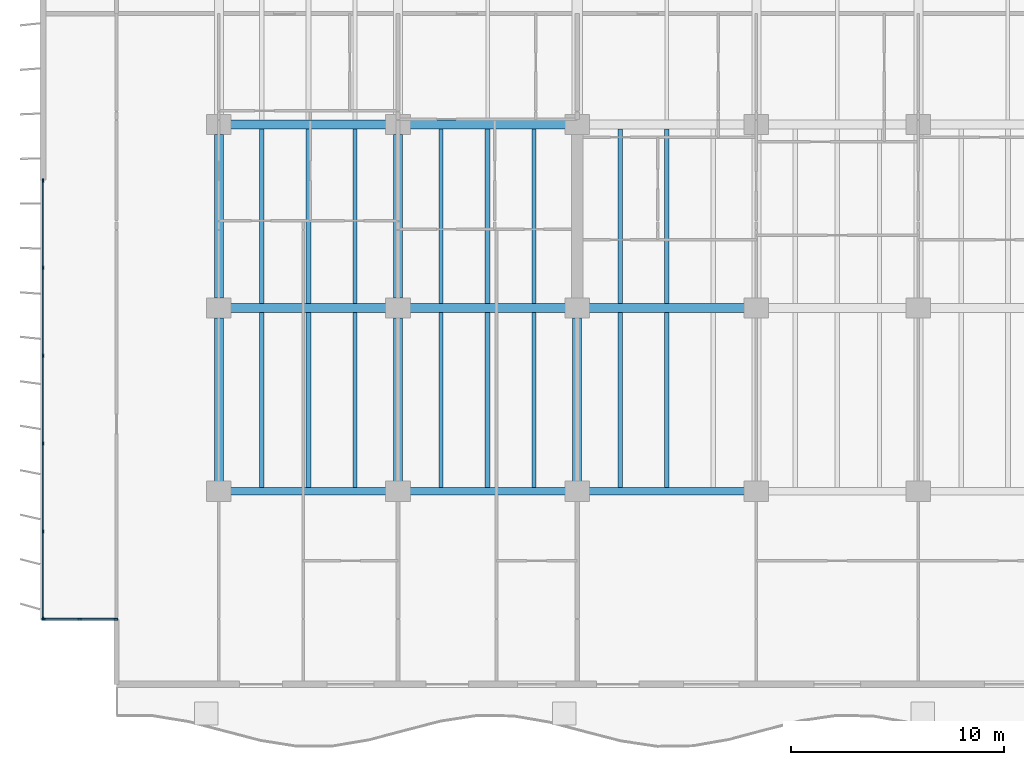
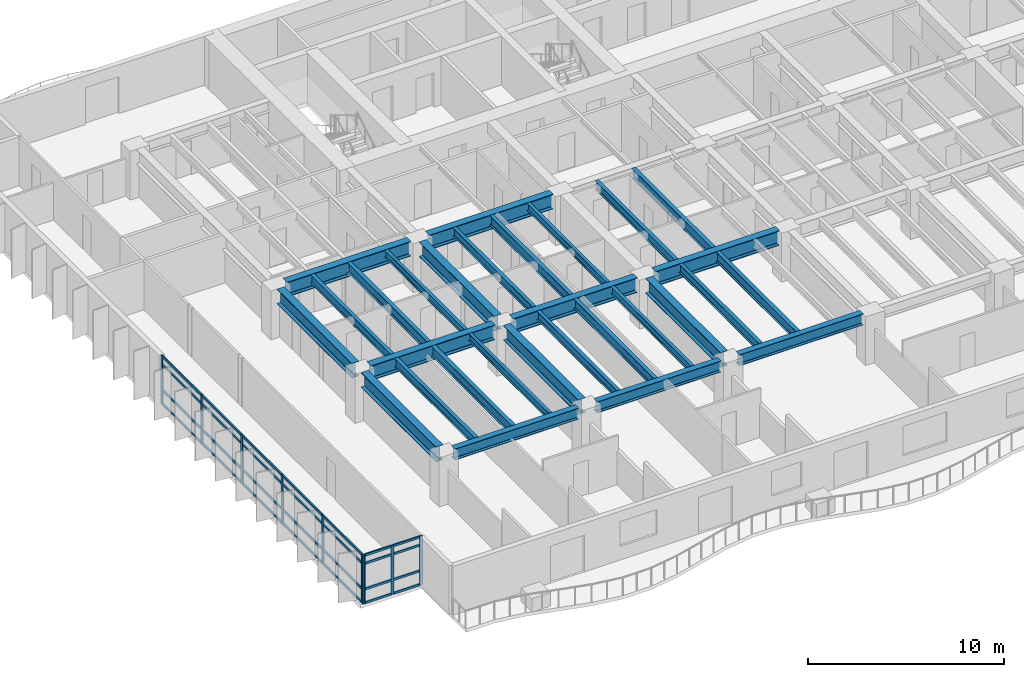
# One storey, part 2 of 17: 37 members, 29 beams, 2 elements without a shape of their own.
"""IFC4 building model written with IfcOpenShell, lengths in metres."""

from ifc_helpers import new_model, si_unit, direction, frame, origin, origin_2d, place, context, subcontext, project, spatial, rectangle, i_section, extrude, material, layer, layer_set, material_profile, profile_set, type_object, element, aggregate, save


model = new_model("IFC4")

# Units and contexts
model_context = context("Model", 3, precision=1e-05, world=origin(), true_north=direction((0.0, 1.0)))
body_context = subcontext(model_context, "Body", "Model", "MODEL_VIEW")
ifc_project = project(units=[si_unit("LENGTHUNIT", "METRE"), si_unit("AREAUNIT", "SQUARE_METRE"), si_unit("VOLUMEUNIT", "CUBIC_METRE"), si_unit("PLANEANGLEUNIT", "RADIAN"), si_unit("MASSUNIT", "GRAM", prefix="KILO")], contexts=[model_context])

# Site, building, storey
site_placement = place(None, origin())
site = spatial("IfcSite", under=ifc_project, at=site_placement, CompositionType="ELEMENT")
building_placement = place(site_placement, origin())
building = spatial("IfcBuilding", under=site, at=building_placement, Name="Caelmar Bay Residences", CompositionType="ELEMENT")
storey_placement = place(building_placement, frame((0.0, 0.0, 53.10009765625)))
storey = spatial("IfcBuildingStorey", under=building, at=storey_placement, Name="L13", CompositionType="ELEMENT", Elevation=53.10009765625)

# Beams
ifc_material_1 = material(Name="Steel ASTM A992 Grade 50", Category="steel")
ifc_material_profile_1 = material_profile(ifc_material_1, i_section(OverallWidth=0.422119140625, OverallDepth=0.925048828125, WebThickness=0.021240234375, FlangeThickness=0.03662109375, FilletRadius=0.020263671875, at=origin_2d()), Name="W36X262")
ifc_profile_set_1 = profile_set([ifc_material_profile_1], Name="Steel ASTM A992 Grade 50")
beam_type_1 = type_object("IfcBeamType", Name="BM-GRD-W36X262", PredefinedType="BEAM", material=ifc_profile_set_1)
beam_1_placement = place(storey_placement, frame((10.43994140625, 20.800048828125, 2.58740234375), z_axis=(1.0, 0.0, 0.0), x_axis=(0.0, 1.0, 0.0)))
element("IfcBeam", 1, at=beam_1_placement, inside=storey, type_object=beam_type_1, Name="L13 East-West Girder Y=20.80 (9.9-18.3)", PredefinedType="BEAM", context=body_context, shape_type="SweptSolid", body=[
    extrude(i_section(OverallWidth=0.422119140625, OverallDepth=0.925048828125, WebThickness=0.021240234375, FlangeThickness=0.03662109375, FilletRadius=0.020263671875, at=origin_2d()), origin(), (0.0, 0.0, 1.0), 7.320068359375),
])
beam_2_placement = place(storey_placement, frame((18.840087890625, 20.800048828125, 2.58740234375), z_axis=(1.0, 0.0, 0.0), x_axis=(0.0, 1.0, 0.0)))
element("IfcBeam", 2, at=beam_2_placement, inside=storey, type_object=beam_type_1, Name="L13 East-West Girder Y=20.80 (18.3-26.7)", PredefinedType="BEAM", context=body_context, shape_type="SweptSolid", body=[
    extrude(i_section(OverallWidth=0.422119140625, OverallDepth=0.925048828125, WebThickness=0.021240234375, FlangeThickness=0.03662109375, FilletRadius=0.020263671875, at=origin_2d()), origin(), (0.0, 0.0, 1.0), 7.31982421875),
])
for number, where, z_axis, x_axis, name in (
    (3, (27.239990234375, 20.800048828125, 2.58740234375), (1.0, 0.0, 0.0), (0.0, 1.0, 0.0), "L13 East-West Girder Y=20.80 (26.7-35.1)"),
    (4, (10.43994140625, 29.39990234375, 2.58740234375), (1.0, 0.0, 0.0), (0.0, 1.0, 0.0), "L13 East-West Girder Y=29.40 (9.9-18.3)"),
):
    element("IfcBeam", number, at=place(storey_placement, frame(where, z_axis=z_axis, x_axis=x_axis)), inside=storey, type_object=beam_type_1, Name=name, PredefinedType="BEAM", context=body_context, shape_type="SweptSolid", body=[
        extrude(i_section(OverallWidth=0.422119140625, OverallDepth=0.925048828125, WebThickness=0.021240234375, FlangeThickness=0.03662109375, FilletRadius=0.020263671875, at=origin_2d()), origin(), (0.0, 0.0, 1.0), 7.320068359375),
    ])
beam_3_placement = place(storey_placement, frame((18.840087890625, 29.39990234375, 2.58740234375), z_axis=(1.0, 0.0, 0.0), x_axis=(0.0, 1.0, 0.0)))
element("IfcBeam", 5, at=beam_3_placement, inside=storey, type_object=beam_type_1, Name="L13 East-West Girder Y=29.40 (18.3-26.7)", PredefinedType="BEAM", context=body_context, shape_type="SweptSolid", body=[
    extrude(i_section(OverallWidth=0.422119140625, OverallDepth=0.925048828125, WebThickness=0.021240234375, FlangeThickness=0.03662109375, FilletRadius=0.020263671875, at=origin_2d()), origin(), (0.0, 0.0, 1.0), 7.31982421875),
])
beam_4_placement = place(storey_placement, frame((9.89990234375, 12.6650390625, 2.58740234375), z_axis=(0.0, 1.0, 0.0), x_axis=(-1.0, 0.0, 0.0)))
element("IfcBeam", 6, at=beam_4_placement, inside=storey, type_object=beam_type_1, Name="L13 North-South Girder X=9.90 (12.2-20.8)", PredefinedType="BEAM", context=body_context, shape_type="SweptSolid", body=[
    extrude(i_section(OverallWidth=0.422119140625, OverallDepth=0.925048828125, WebThickness=0.021240234375, FlangeThickness=0.03662109375, FilletRadius=0.020263671875, at=origin_2d()), origin(), (0.0, 0.0, 1.0), 7.669921875),
])
beam_5_placement = place(storey_placement, frame((9.89990234375, 21.264892578125, 2.58740234375), z_axis=(0.0, 1.0, 0.0), x_axis=(-1.0, 0.0, 0.0)))
element("IfcBeam", 7, at=beam_5_placement, inside=storey, type_object=beam_type_1, Name="L13 North-South Girder X=9.90 (20.8-29.4)", PredefinedType="BEAM", context=body_context, shape_type="SweptSolid", body=[
    extrude(i_section(OverallWidth=0.422119140625, OverallDepth=0.925048828125, WebThickness=0.021240234375, FlangeThickness=0.03662109375, FilletRadius=0.020263671875, at=origin_2d()), origin(), (0.0, 0.0, 1.0), 7.670166015625),
])
beam_6_placement = place(storey_placement, frame((18.300048828125, 12.6650390625, 2.58740234375), z_axis=(0.0, 1.0, 0.0), x_axis=(-1.0, 0.0, 0.0)))
element("IfcBeam", 8, at=beam_6_placement, inside=storey, type_object=beam_type_1, Name="L13 North-South Girder X=18.30 (12.2-20.8)", PredefinedType="BEAM", context=body_context, shape_type="SweptSolid", body=[
    extrude(i_section(OverallWidth=0.422119140625, OverallDepth=0.925048828125, WebThickness=0.021240234375, FlangeThickness=0.03662109375, FilletRadius=0.020263671875, at=origin_2d()), origin(), (0.0, 0.0, 1.0), 7.669921875),
])
beam_7_placement = place(storey_placement, frame((18.300048828125, 21.264892578125, 2.58740234375), z_axis=(0.0, 1.0, 0.0), x_axis=(-1.0, 0.0, 0.0)))
element("IfcBeam", 9, at=beam_7_placement, inside=storey, type_object=beam_type_1, Name="L13 North-South Girder X=18.30 (20.8-29.4)", PredefinedType="BEAM", context=body_context, shape_type="SweptSolid", body=[
    extrude(i_section(OverallWidth=0.422119140625, OverallDepth=0.925048828125, WebThickness=0.021240234375, FlangeThickness=0.03662109375, FilletRadius=0.020263671875, at=origin_2d()), origin(), (0.0, 0.0, 1.0), 7.670166015625),
])
beam_8_placement = place(storey_placement, frame((26.699951171875, 12.6650390625, 2.58740234375), z_axis=(0.0, 1.0, 0.0), x_axis=(-1.0, 0.0, 0.0)))
element("IfcBeam", 10, at=beam_8_placement, inside=storey, type_object=beam_type_1, Name="L13 North-South Girder X=26.70 (12.2-20.8)", PredefinedType="BEAM", context=body_context, shape_type="SweptSolid", body=[
    extrude(i_section(OverallWidth=0.422119140625, OverallDepth=0.925048828125, WebThickness=0.021240234375, FlangeThickness=0.03662109375, FilletRadius=0.020263671875, at=origin_2d()), origin(), (0.0, 0.0, 1.0), 7.669921875),
])
ifc_material_profile_2 = material_profile(ifc_material_1, i_section(OverallWidth=0.19091796875, OverallDepth=0.45703125, WebThickness=0.009033203125, FlangeThickness=0.014404296875, FilletRadius=0.01025390625, at=origin_2d()), Name="W18X50")
ifc_profile_set_2 = profile_set([ifc_material_profile_2], Name="Steel ASTM A992 Grade 50")
beam_type_2 = type_object("IfcBeamType", Name="BM-JST-W18X50", PredefinedType="JOIST", material=ifc_profile_set_2)
for number, where, z_axis, x_axis, name in (
    (11, (16.283935546875, 12.3779296875, 2.8212890625), (0.0, 1.0, 0.0), (-1.0, 0.0, 0.0), "L13 Composite Floor Joist 3"),
    (12, (24.68408203125, 12.3779296875, 2.8212890625), (0.0, 1.0, 0.0), (-1.0, 0.0, 0.0), "L13 Composite Floor Joist 6"),
):
    element("IfcBeam", number, at=place(storey_placement, frame(where, z_axis=z_axis, x_axis=x_axis)), inside=storey, type_object=beam_type_2, Name=name, PredefinedType="JOIST", context=body_context, shape_type="SweptSolid", body=[
        extrude(i_section(OverallWidth=0.19091796875, OverallDepth=0.45703125, WebThickness=0.009033203125, FlangeThickness=0.014404296875, FilletRadius=0.01025390625, at=origin_2d()), origin(), (0.0, 0.0, 1.0), 8.211181640625),
    ])
for number, where, z_axis, x_axis, name in (
    (13, (16.283935546875, 21.010986328125, 2.8212890625), (0.0, 1.0, 0.0), (-1.0, 0.0, 0.0), "L13 Composite Floor Joist 24"),
    (14, (24.68408203125, 21.010986328125, 2.8212890625), (0.0, 1.0, 0.0), (-1.0, 0.0, 0.0), "L13 Composite Floor Joist 27"),
):
    element("IfcBeam", number, at=place(storey_placement, frame(where, z_axis=z_axis, x_axis=x_axis)), inside=storey, type_object=beam_type_2, Name=name, PredefinedType="JOIST", context=body_context, shape_type="SweptSolid", body=[
        extrude(i_section(OverallWidth=0.19091796875, OverallDepth=0.45703125, WebThickness=0.009033203125, FlangeThickness=0.014404296875, FilletRadius=0.01025390625, at=origin_2d()), origin(), (0.0, 0.0, 1.0), 8.177978515625),
    ])
ifc_material_profile_3 = material_profile(ifc_material_1, i_section(OverallWidth=0.2099609375, OverallDepth=0.535888671875, WebThickness=0.010986328125, FlangeThickness=0.017333984375, FilletRadius=0.0126953125, at=origin_2d()), Name="W21X68")
ifc_profile_set_3 = profile_set([ifc_material_profile_3], Name="Steel ASTM A992 Grade 50")
beam_type_3 = type_object("IfcBeamType", Name="BM-JST-W21X68", PredefinedType="JOIST", material=ifc_profile_set_3)
for number, where, z_axis, x_axis, name in (
    (15, (11.916015625, 12.3779296875, 2.781982421875), (0.0, 1.0, 0.0), (-1.0, 0.0, 0.0), "L13 Composite Floor Joist 1"),
    (16, (20.31591796875, 12.3779296875, 2.781982421875), (0.0, 1.0, 0.0), (-1.0, 0.0, 0.0), "L13 Composite Floor Joist 4"),
    (17, (28.716064453125, 12.3779296875, 2.781982421875), (0.0, 1.0, 0.0), (-1.0, 0.0, 0.0), "L13 Composite Floor Joist 7"),
):
    element("IfcBeam", number, at=place(storey_placement, frame(where, z_axis=z_axis, x_axis=x_axis)), inside=storey, type_object=beam_type_3, Name=name, PredefinedType="JOIST", context=body_context, shape_type="SweptSolid", body=[
        extrude(i_section(OverallWidth=0.2099609375, OverallDepth=0.535888671875, WebThickness=0.010986328125, FlangeThickness=0.017333984375, FilletRadius=0.0126953125, at=origin_2d()), origin(), (0.0, 0.0, 1.0), 8.211181640625),
    ])
for number, where, z_axis, x_axis, name in (
    (18, (11.916015625, 21.010986328125, 2.781982421875), (0.0, 1.0, 0.0), (-1.0, 0.0, 0.0), "L13 Composite Floor Joist 22"),
    (19, (20.31591796875, 21.010986328125, 2.781982421875), (0.0, 1.0, 0.0), (-1.0, 0.0, 0.0), "L13 Composite Floor Joist 25"),
    (20, (28.716064453125, 21.010986328125, 2.781982421875), (0.0, 1.0, 0.0), (-1.0, 0.0, 0.0), "L13 Composite Floor Joist 28"),
):
    element("IfcBeam", number, at=place(storey_placement, frame(where, z_axis=z_axis, x_axis=x_axis)), inside=storey, type_object=beam_type_3, Name=name, PredefinedType="JOIST", context=body_context, shape_type="SweptSolid", body=[
        extrude(i_section(OverallWidth=0.2099609375, OverallDepth=0.535888671875, WebThickness=0.010986328125, FlangeThickness=0.017333984375, FilletRadius=0.0126953125, at=origin_2d()), origin(), (0.0, 0.0, 1.0), 8.177978515625),
    ])
ifc_material_profile_4 = material_profile(ifc_material_1, i_section(OverallWidth=0.22900390625, OverallDepth=0.612060546875, WebThickness=0.011962890625, FlangeThickness=0.01953125, FilletRadius=0.0126953125, at=origin_2d()), Name="W24X84")
ifc_profile_set_4 = profile_set([ifc_material_profile_4], Name="Steel ASTM A992 Grade 50")
beam_type_4 = type_object("IfcBeamType", Name="BM-JST-W24X84", PredefinedType="JOIST", material=ifc_profile_set_4)
for number, where, z_axis, x_axis, name in (
    (21, (14.10009765625, 12.3779296875, 2.743896484375), (0.0, 1.0, 0.0), (-1.0, 0.0, 0.0), "L13 Composite Floor Joist 2"),
    (22, (22.5, 12.3779296875, 2.743896484375), (0.0, 1.0, 0.0), (-1.0, 0.0, 0.0), "L13 Composite Floor Joist 5"),
    (23, (30.89990234375, 12.3779296875, 2.743896484375), (0.0, 1.0, 0.0), (-1.0, 0.0, 0.0), "L13 Composite Floor Joist 8"),
):
    element("IfcBeam", number, at=place(storey_placement, frame(where, z_axis=z_axis, x_axis=x_axis)), inside=storey, type_object=beam_type_4, Name=name, PredefinedType="JOIST", context=body_context, shape_type="SweptSolid", body=[
        extrude(i_section(OverallWidth=0.22900390625, OverallDepth=0.612060546875, WebThickness=0.011962890625, FlangeThickness=0.01953125, FilletRadius=0.0126953125, at=origin_2d()), origin(), (0.0, 0.0, 1.0), 8.211181640625),
    ])
for number, where, z_axis, x_axis, name in (
    (24, (14.10009765625, 21.010986328125, 2.743896484375), (0.0, 1.0, 0.0), (-1.0, 0.0, 0.0), "L13 Composite Floor Joist 23"),
    (25, (22.5, 21.010986328125, 2.743896484375), (0.0, 1.0, 0.0), (-1.0, 0.0, 0.0), "L13 Composite Floor Joist 26"),
    (26, (30.89990234375, 21.010986328125, 2.743896484375), (0.0, 1.0, 0.0), (-1.0, 0.0, 0.0), "L13 Composite Floor Joist 29"),
):
    element("IfcBeam", number, at=place(storey_placement, frame(where, z_axis=z_axis, x_axis=x_axis)), inside=storey, type_object=beam_type_4, Name=name, PredefinedType="JOIST", context=body_context, shape_type="SweptSolid", body=[
        extrude(i_section(OverallWidth=0.22900390625, OverallDepth=0.612060546875, WebThickness=0.011962890625, FlangeThickness=0.01953125, FilletRadius=0.0126953125, at=origin_2d()), origin(), (0.0, 0.0, 1.0), 8.177978515625),
    ])
ifc_material_profile_5 = material_profile(ifc_material_1, i_section(OverallWidth=0.35595703125, OverallDepth=0.696044921875, WebThickness=0.015380859375, FlangeThickness=0.02490234375, FilletRadius=0.01513671875, at=origin_2d()), Name="W27X146")
ifc_profile_set_5 = profile_set([ifc_material_profile_5], Name="Steel ASTM A992 Grade 50")
beam_type_5 = type_object("IfcBeamType", Name="BM-SPN-W27X146", PredefinedType="SPANDREL", material=ifc_profile_set_5)
beam_9_placement = place(storey_placement, frame((10.43994140625, 12.199951171875, 2.701904296875), z_axis=(1.0, 0.0, 0.0), x_axis=(0.0, 1.0, 0.0)))
element("IfcBeam", 27, at=beam_9_placement, inside=storey, type_object=beam_type_5, Name="L13 East-West Girder Y=12.20 (9.9-18.3)", PredefinedType="SPANDREL", context=body_context, shape_type="SweptSolid", body=[
    extrude(i_section(OverallWidth=0.35595703125, OverallDepth=0.696044921875, WebThickness=0.015380859375, FlangeThickness=0.02490234375, FilletRadius=0.01513671875, at=origin_2d()), origin(), (0.0, 0.0, 1.0), 7.320068359375),
])
beam_10_placement = place(storey_placement, frame((18.840087890625, 12.199951171875, 2.701904296875), z_axis=(1.0, 0.0, 0.0), x_axis=(0.0, 1.0, 0.0)))
element("IfcBeam", 28, at=beam_10_placement, inside=storey, type_object=beam_type_5, Name="L13 East-West Girder Y=12.20 (18.3-26.7)", PredefinedType="SPANDREL", context=body_context, shape_type="SweptSolid", body=[
    extrude(i_section(OverallWidth=0.35595703125, OverallDepth=0.696044921875, WebThickness=0.015380859375, FlangeThickness=0.02490234375, FilletRadius=0.01513671875, at=origin_2d()), origin(), (0.0, 0.0, 1.0), 7.31982421875),
])
beam_11_placement = place(storey_placement, frame((27.239990234375, 12.199951171875, 2.701904296875), z_axis=(1.0, 0.0, 0.0), x_axis=(0.0, 1.0, 0.0)))
element("IfcBeam", 29, at=beam_11_placement, inside=storey, type_object=beam_type_5, Name="L13 East-West Girder Y=12.20 (26.7-35.1)", PredefinedType="SPANDREL", context=body_context, shape_type="SweptSolid", body=[
    extrude(i_section(OverallWidth=0.35595703125, OverallDepth=0.696044921875, WebThickness=0.015380859375, FlangeThickness=0.02490234375, FilletRadius=0.01513671875, at=origin_2d()), origin(), (0.0, 0.0, 1.0), 7.320068359375),
])

# Curtain wall, members
ifc_material_2 = material(Name="Anodised bronze aluminium 6063-T6 and laminated glass", Category="aluminium")
ifc_layer_1 = layer(ifc_material_2, 0.179931640625)
ifc_layer_set_1 = layer_set([ifc_layer_1], Name="Anodised bronze aluminium 6063-T6 and laminated glass")
curtain_wall_type_1 = type_object("IfcCurtainWallType", Name="CW6-NTC", PredefinedType="NOTDEFINED", material=ifc_layer_set_1)
curtain_wall_1_placement = place(storey_placement, origin())
curtain_wall_1 = element("IfcCurtainWall", 30, at=curtain_wall_1_placement, inside=storey, type_object=curtain_wall_type_1, Name="CW6 curtain wall L13", PredefinedType="NOTDEFINED")
ifc_material_3 = material(Name="Anodised bronze aluminium 6063-T6", Category="aluminium")
ifc_material_profile_6 = material_profile(ifc_material_3, rectangle(XDim=0.080078125, YDim=0.179931640625, at=origin_2d()), Name="CWM-80X180")
ifc_profile_set_6 = profile_set([ifc_material_profile_6], Name="Anodised bronze aluminium 6063-T6")
member_type_1 = type_object("IfcMemberType", Name="CWM-180", PredefinedType="MULLION", material=ifc_profile_set_6)
member_1_placement = place(storey_placement, frame((1.68994140625, 6.199951171875, 0.0), z_axis=(0.0, 0.0, 1.0), x_axis=(0.0, 1.0, 0.0)))
member_1 = element("IfcMember", 31, at=member_1_placement, type_object=member_type_1, Name="CW6 mullion 1", PredefinedType="MULLION", context=body_context, shape_type="SweptSolid", body=[
    extrude(rectangle(XDim=0.080078125, YDim=0.179931640625, at=origin_2d()), origin(), (0.0, 0.0, 1.0), 3.0498046875),
])
member_2_placement = place(storey_placement, frame((3.375, 6.199951171875, 0.0), z_axis=(0.0, 0.0, 1.0), x_axis=(0.0, 1.0, 0.0)))
member_2 = element("IfcMember", 32, at=member_2_placement, type_object=member_type_1, Name="CW6 mullion 2", PredefinedType="MULLION", context=body_context, shape_type="SweptSolid", body=[
    extrude(rectangle(XDim=0.080078125, YDim=0.179931640625, at=origin_2d()), origin(), (0.0, 0.0, 1.0), 3.0498046875),
])
member_3_placement = place(storey_placement, frame((5.06005859375, 6.199951171875, 0.0), z_axis=(0.0, 0.0, 1.0), x_axis=(0.0, 1.0, 0.0)))
member_3 = element("IfcMember", 33, at=member_3_placement, type_object=member_type_1, Name="CW6 mullion 3", PredefinedType="MULLION", context=body_context, shape_type="SweptSolid", body=[
    extrude(rectangle(XDim=0.080078125, YDim=0.179931640625, at=origin_2d()), origin(), (0.0, 0.0, 1.0), 3.0498046875),
])

ifc_layer_2 = layer(ifc_material_2, 0.179931640625)
ifc_layer_set_2 = layer_set([ifc_layer_2], Name="Anodised bronze aluminium 6063-T6 and laminated glass")
curtain_wall_type_2 = type_object("IfcCurtainWallType", Name="CW2-Z1", PredefinedType="NOTDEFINED", material=ifc_layer_set_2)
curtain_wall_2_placement = place(storey_placement, origin())
curtain_wall_2 = element("IfcCurtainWall", 34, at=curtain_wall_2_placement, inside=storey, type_object=curtain_wall_type_2, Name="CW2 curtain wall L13", PredefinedType="NOTDEFINED")
member_4_placement = place(storey_placement, frame((1.64990234375, 6.239990234375, 0.0), z_axis=(0.0, 0.0, 1.0), x_axis=(-1.0, 0.0, 0.0)))
member_4 = element("IfcMember", 35, at=member_4_placement, type_object=member_type_1, Name="CW2 mullion 1", PredefinedType="MULLION", context=body_context, shape_type="SweptSolid", body=[
    extrude(rectangle(XDim=0.080078125, YDim=0.179931640625, at=origin_2d()), origin(), (0.0, 0.0, 1.0), 3.0498046875),
])
member_5_placement = place(storey_placement, frame((1.64990234375, 10.320068359375, 0.0), z_axis=(0.0, 0.0, 1.0), x_axis=(-1.0, 0.0, 0.0)))
member_5 = element("IfcMember", 36, at=member_5_placement, type_object=member_type_1, Name="CW2 mullion 2", PredefinedType="MULLION", context=body_context, shape_type="SweptSolid", body=[
    extrude(rectangle(XDim=0.080078125, YDim=0.179931640625, at=origin_2d()), origin(), (0.0, 0.0, 1.0), 3.0498046875),
])
member_6_placement = place(storey_placement, frame((1.64990234375, 14.43994140625, 0.0), z_axis=(0.0, 0.0, 1.0), x_axis=(-1.0, 0.0, 0.0)))
member_6 = element("IfcMember", 37, at=member_6_placement, type_object=member_type_1, Name="CW2 mullion 3", PredefinedType="MULLION", context=body_context, shape_type="SweptSolid", body=[
    extrude(rectangle(XDim=0.080078125, YDim=0.179931640625, at=origin_2d()), origin(), (0.0, 0.0, 1.0), 3.0498046875),
])
member_7_placement = place(storey_placement, frame((1.64990234375, 18.56005859375, 0.0), z_axis=(0.0, 0.0, 1.0), x_axis=(-1.0, 0.0, 0.0)))
member_7 = element("IfcMember", 38, at=member_7_placement, type_object=member_type_1, Name="CW2 mullion 4", PredefinedType="MULLION", context=body_context, shape_type="SweptSolid", body=[
    extrude(rectangle(XDim=0.080078125, YDim=0.179931640625, at=origin_2d()), origin(), (0.0, 0.0, 1.0), 3.0498046875),
])
member_8_placement = place(storey_placement, frame((1.64990234375, 22.679931640625, 0.0), z_axis=(0.0, 0.0, 1.0), x_axis=(-1.0, 0.0, 0.0)))
member_8 = element("IfcMember", 39, at=member_8_placement, type_object=member_type_1, Name="CW2 mullion 5", PredefinedType="MULLION", context=body_context, shape_type="SweptSolid", body=[
    extrude(rectangle(XDim=0.080078125, YDim=0.179931640625, at=origin_2d()), origin(), (0.0, 0.0, 1.0), 3.0498046875),
])
member_9_placement = place(storey_placement, frame((1.64990234375, 26.760009765625, 0.0), z_axis=(0.0, 0.0, 1.0), x_axis=(-1.0, 0.0, 0.0)))
member_9 = element("IfcMember", 40, at=member_9_placement, type_object=member_type_1, Name="CW2 mullion 6", PredefinedType="MULLION", context=body_context, shape_type="SweptSolid", body=[
    extrude(rectangle(XDim=0.080078125, YDim=0.179931640625, at=origin_2d()), origin(), (0.0, 0.0, 1.0), 3.0498046875),
])

# Member
ifc_material_profile_7 = material_profile(ifc_material_3, rectangle(XDim=0.080078125, YDim=0.139892578125, at=origin_2d()), Name="CWT-80X140")
ifc_profile_set_7 = profile_set([ifc_material_profile_7], Name="Anodised bronze aluminium 6063-T6")
member_type_2 = type_object("IfcMemberType", Name="CWT-140", PredefinedType="NOTDEFINED", material=ifc_profile_set_7)
member_10_placement = place(storey_placement, frame((1.72998046875, 6.199951171875, 0.039794921875), z_axis=(1.0, 0.0, 0.0), x_axis=(0.0, 1.0, 0.0)))
member_10 = element("IfcMember", 41, at=member_10_placement, type_object=member_type_2, Name="CW6 transom 1.1", ObjectType="TRANSOM", PredefinedType="USERDEFINED", context=body_context, shape_type="SweptSolid", body=[
    extrude(rectangle(XDim=0.080078125, YDim=0.139892578125, at=origin_2d()), origin(), (0.0, 0.0, 1.0), 1.60498046875),
])

member_11_placement = place(storey_placement, frame((1.72998046875, 6.199951171875, 0.89990234375), z_axis=(1.0, 0.0, 0.0), x_axis=(0.0, 1.0, 0.0)))
member_11 = element("IfcMember", 42, at=member_11_placement, type_object=member_type_2, Name="CW6 transom 1.2", ObjectType="TRANSOM", PredefinedType="USERDEFINED", context=body_context, shape_type="SweptSolid", body=[
    extrude(rectangle(XDim=0.080078125, YDim=0.139892578125, at=origin_2d()), origin(), (0.0, 0.0, 1.0), 1.60498046875),
])

member_12_placement = place(storey_placement, frame((1.72998046875, 6.199951171875, 2.5), z_axis=(1.0, 0.0, 0.0), x_axis=(0.0, 1.0, 0.0)))
member_12 = element("IfcMember", 43, at=member_12_placement, type_object=member_type_2, Name="CW6 transom 1.3", ObjectType="TRANSOM", PredefinedType="USERDEFINED", context=body_context, shape_type="SweptSolid", body=[
    extrude(rectangle(XDim=0.080078125, YDim=0.139892578125, at=origin_2d()), origin(), (0.0, 0.0, 1.0), 1.60498046875),
])

member_13_placement = place(storey_placement, frame((1.72998046875, 6.199951171875, 3.010009765625), z_axis=(1.0, 0.0, 0.0), x_axis=(0.0, 1.0, 0.0)))
member_13 = element("IfcMember", 44, at=member_13_placement, type_object=member_type_2, Name="CW6 transom 1.4", ObjectType="TRANSOM", PredefinedType="USERDEFINED", context=body_context, shape_type="SweptSolid", body=[
    extrude(rectangle(XDim=0.080078125, YDim=0.139892578125, at=origin_2d()), origin(), (0.0, 0.0, 1.0), 1.60498046875),
])

member_14_placement = place(storey_placement, frame((3.4150390625, 6.199951171875, 0.039794921875), z_axis=(1.0, 0.0, 0.0), x_axis=(0.0, 1.0, 0.0)))
member_14 = element("IfcMember", 45, at=member_14_placement, type_object=member_type_2, Name="CW6 transom 2.1", ObjectType="TRANSOM", PredefinedType="USERDEFINED", context=body_context, shape_type="SweptSolid", body=[
    extrude(rectangle(XDim=0.080078125, YDim=0.139892578125, at=origin_2d()), origin(), (0.0, 0.0, 1.0), 1.60498046875),
])

member_15_placement = place(storey_placement, frame((3.4150390625, 6.199951171875, 0.89990234375), z_axis=(1.0, 0.0, 0.0), x_axis=(0.0, 1.0, 0.0)))
member_15 = element("IfcMember", 46, at=member_15_placement, type_object=member_type_2, Name="CW6 transom 2.2", ObjectType="TRANSOM", PredefinedType="USERDEFINED", context=body_context, shape_type="SweptSolid", body=[
    extrude(rectangle(XDim=0.080078125, YDim=0.139892578125, at=origin_2d()), origin(), (0.0, 0.0, 1.0), 1.60498046875),
])

member_16_placement = place(storey_placement, frame((3.4150390625, 6.199951171875, 2.5), z_axis=(1.0, 0.0, 0.0), x_axis=(0.0, 1.0, 0.0)))
member_16 = element("IfcMember", 47, at=member_16_placement, type_object=member_type_2, Name="CW6 transom 2.3", ObjectType="TRANSOM", PredefinedType="USERDEFINED", context=body_context, shape_type="SweptSolid", body=[
    extrude(rectangle(XDim=0.080078125, YDim=0.139892578125, at=origin_2d()), origin(), (0.0, 0.0, 1.0), 1.60498046875),
])

member_17_placement = place(storey_placement, frame((3.4150390625, 6.199951171875, 3.010009765625), z_axis=(1.0, 0.0, 0.0), x_axis=(0.0, 1.0, 0.0)))
member_17 = element("IfcMember", 48, at=member_17_placement, type_object=member_type_2, Name="CW6 transom 2.4", ObjectType="TRANSOM", PredefinedType="USERDEFINED", context=body_context, shape_type="SweptSolid", body=[
    extrude(rectangle(XDim=0.080078125, YDim=0.139892578125, at=origin_2d()), origin(), (0.0, 0.0, 1.0), 1.60498046875),
])

aggregate(curtain_wall_1, [member_1, member_2, member_3, member_10, member_11, member_12, member_13, member_14, member_15, member_16, member_17])

member_18_placement = place(storey_placement, frame((1.64990234375, 6.280029296875, 0.039794921875), z_axis=(0.0, 1.0, 0.0), x_axis=(-1.0, 0.0, 0.0)))
member_18 = element("IfcMember", 49, at=member_18_placement, type_object=member_type_2, Name="CW2 transom 1.1", ObjectType="TRANSOM", PredefinedType="USERDEFINED", context=body_context, shape_type="SweptSolid", body=[
    extrude(rectangle(XDim=0.080078125, YDim=0.139892578125, at=origin_2d()), origin(), (0.0, 0.0, 1.0), 4.0),
])

member_19_placement = place(storey_placement, frame((1.64990234375, 6.280029296875, 0.89990234375), z_axis=(0.0, 1.0, 0.0), x_axis=(-1.0, 0.0, 0.0)))
member_19 = element("IfcMember", 50, at=member_19_placement, type_object=member_type_2, Name="CW2 transom 1.2", ObjectType="TRANSOM", PredefinedType="USERDEFINED", context=body_context, shape_type="SweptSolid", body=[
    extrude(rectangle(XDim=0.080078125, YDim=0.139892578125, at=origin_2d()), origin(), (0.0, 0.0, 1.0), 4.0),
])

member_20_placement = place(storey_placement, frame((1.64990234375, 6.280029296875, 2.5), z_axis=(0.0, 1.0, 0.0), x_axis=(-1.0, 0.0, 0.0)))
member_20 = element("IfcMember", 51, at=member_20_placement, type_object=member_type_2, Name="CW2 transom 1.3", ObjectType="TRANSOM", PredefinedType="USERDEFINED", context=body_context, shape_type="SweptSolid", body=[
    extrude(rectangle(XDim=0.080078125, YDim=0.139892578125, at=origin_2d()), origin(), (0.0, 0.0, 1.0), 4.0),
])

member_21_placement = place(storey_placement, frame((1.64990234375, 6.280029296875, 3.010009765625), z_axis=(0.0, 1.0, 0.0), x_axis=(-1.0, 0.0, 0.0)))
member_21 = element("IfcMember", 52, at=member_21_placement, type_object=member_type_2, Name="CW2 transom 1.4", ObjectType="TRANSOM", PredefinedType="USERDEFINED", context=body_context, shape_type="SweptSolid", body=[
    extrude(rectangle(XDim=0.080078125, YDim=0.139892578125, at=origin_2d()), origin(), (0.0, 0.0, 1.0), 4.0),
])

member_22_placement = place(storey_placement, frame((1.64990234375, 10.360107421875, 0.039794921875), z_axis=(0.0, 1.0, 0.0), x_axis=(-1.0, 0.0, 0.0)))
member_22 = element("IfcMember", 53, at=member_22_placement, type_object=member_type_2, Name="CW2 transom 2.1", ObjectType="TRANSOM", PredefinedType="USERDEFINED", context=body_context, shape_type="SweptSolid", body=[
    extrude(rectangle(XDim=0.080078125, YDim=0.139892578125, at=origin_2d()), origin(), (0.0, 0.0, 1.0), 4.039794921875),
])

member_23_placement = place(storey_placement, frame((1.64990234375, 10.360107421875, 0.89990234375), z_axis=(0.0, 1.0, 0.0), x_axis=(-1.0, 0.0, 0.0)))
member_23 = element("IfcMember", 54, at=member_23_placement, type_object=member_type_2, Name="CW2 transom 2.2", ObjectType="TRANSOM", PredefinedType="USERDEFINED", context=body_context, shape_type="SweptSolid", body=[
    extrude(rectangle(XDim=0.080078125, YDim=0.139892578125, at=origin_2d()), origin(), (0.0, 0.0, 1.0), 4.039794921875),
])

member_24_placement = place(storey_placement, frame((1.64990234375, 10.360107421875, 2.5), z_axis=(0.0, 1.0, 0.0), x_axis=(-1.0, 0.0, 0.0)))
member_24 = element("IfcMember", 55, at=member_24_placement, type_object=member_type_2, Name="CW2 transom 2.3", ObjectType="TRANSOM", PredefinedType="USERDEFINED", context=body_context, shape_type="SweptSolid", body=[
    extrude(rectangle(XDim=0.080078125, YDim=0.139892578125, at=origin_2d()), origin(), (0.0, 0.0, 1.0), 4.039794921875),
])

member_25_placement = place(storey_placement, frame((1.64990234375, 10.360107421875, 3.010009765625), z_axis=(0.0, 1.0, 0.0), x_axis=(-1.0, 0.0, 0.0)))
member_25 = element("IfcMember", 56, at=member_25_placement, type_object=member_type_2, Name="CW2 transom 2.4", ObjectType="TRANSOM", PredefinedType="USERDEFINED", context=body_context, shape_type="SweptSolid", body=[
    extrude(rectangle(XDim=0.080078125, YDim=0.139892578125, at=origin_2d()), origin(), (0.0, 0.0, 1.0), 4.039794921875),
])

member_26_placement = place(storey_placement, frame((1.64990234375, 14.47998046875, 0.039794921875), z_axis=(0.0, 1.0, 0.0), x_axis=(-1.0, 0.0, 0.0)))
member_26 = element("IfcMember", 57, at=member_26_placement, type_object=member_type_2, Name="CW2 transom 3.1", ObjectType="TRANSOM", PredefinedType="USERDEFINED", context=body_context, shape_type="SweptSolid", body=[
    extrude(rectangle(XDim=0.080078125, YDim=0.139892578125, at=origin_2d()), origin(), (0.0, 0.0, 1.0), 4.0400390625),
])

member_27_placement = place(storey_placement, frame((1.64990234375, 14.47998046875, 0.89990234375), z_axis=(0.0, 1.0, 0.0), x_axis=(-1.0, 0.0, 0.0)))
member_27 = element("IfcMember", 58, at=member_27_placement, type_object=member_type_2, Name="CW2 transom 3.2", ObjectType="TRANSOM", PredefinedType="USERDEFINED", context=body_context, shape_type="SweptSolid", body=[
    extrude(rectangle(XDim=0.080078125, YDim=0.139892578125, at=origin_2d()), origin(), (0.0, 0.0, 1.0), 4.0400390625),
])

member_28_placement = place(storey_placement, frame((1.64990234375, 14.47998046875, 2.5), z_axis=(0.0, 1.0, 0.0), x_axis=(-1.0, 0.0, 0.0)))
member_28 = element("IfcMember", 59, at=member_28_placement, type_object=member_type_2, Name="CW2 transom 3.3", ObjectType="TRANSOM", PredefinedType="USERDEFINED", context=body_context, shape_type="SweptSolid", body=[
    extrude(rectangle(XDim=0.080078125, YDim=0.139892578125, at=origin_2d()), origin(), (0.0, 0.0, 1.0), 4.0400390625),
])

member_29_placement = place(storey_placement, frame((1.64990234375, 14.47998046875, 3.010009765625), z_axis=(0.0, 1.0, 0.0), x_axis=(-1.0, 0.0, 0.0)))
member_29 = element("IfcMember", 60, at=member_29_placement, type_object=member_type_2, Name="CW2 transom 3.4", ObjectType="TRANSOM", PredefinedType="USERDEFINED", context=body_context, shape_type="SweptSolid", body=[
    extrude(rectangle(XDim=0.080078125, YDim=0.139892578125, at=origin_2d()), origin(), (0.0, 0.0, 1.0), 4.0400390625),
])

member_30_placement = place(storey_placement, frame((1.64990234375, 18.60009765625, 0.039794921875), z_axis=(0.0, 1.0, 0.0), x_axis=(-1.0, 0.0, 0.0)))
member_30 = element("IfcMember", 61, at=member_30_placement, type_object=member_type_2, Name="CW2 transom 4.1", ObjectType="TRANSOM", PredefinedType="USERDEFINED", context=body_context, shape_type="SweptSolid", body=[
    extrude(rectangle(XDim=0.080078125, YDim=0.139892578125, at=origin_2d()), origin(), (0.0, 0.0, 1.0), 4.039794921875),
])

member_31_placement = place(storey_placement, frame((1.64990234375, 18.60009765625, 0.89990234375), z_axis=(0.0, 1.0, 0.0), x_axis=(-1.0, 0.0, 0.0)))
member_31 = element("IfcMember", 62, at=member_31_placement, type_object=member_type_2, Name="CW2 transom 4.2", ObjectType="TRANSOM", PredefinedType="USERDEFINED", context=body_context, shape_type="SweptSolid", body=[
    extrude(rectangle(XDim=0.080078125, YDim=0.139892578125, at=origin_2d()), origin(), (0.0, 0.0, 1.0), 4.039794921875),
])

member_32_placement = place(storey_placement, frame((1.64990234375, 18.60009765625, 2.5), z_axis=(0.0, 1.0, 0.0), x_axis=(-1.0, 0.0, 0.0)))
member_32 = element("IfcMember", 63, at=member_32_placement, type_object=member_type_2, Name="CW2 transom 4.3", ObjectType="TRANSOM", PredefinedType="USERDEFINED", context=body_context, shape_type="SweptSolid", body=[
    extrude(rectangle(XDim=0.080078125, YDim=0.139892578125, at=origin_2d()), origin(), (0.0, 0.0, 1.0), 4.039794921875),
])

member_33_placement = place(storey_placement, frame((1.64990234375, 18.60009765625, 3.010009765625), z_axis=(0.0, 1.0, 0.0), x_axis=(-1.0, 0.0, 0.0)))
member_33 = element("IfcMember", 64, at=member_33_placement, type_object=member_type_2, Name="CW2 transom 4.4", ObjectType="TRANSOM", PredefinedType="USERDEFINED", context=body_context, shape_type="SweptSolid", body=[
    extrude(rectangle(XDim=0.080078125, YDim=0.139892578125, at=origin_2d()), origin(), (0.0, 0.0, 1.0), 4.039794921875),
])

member_34_placement = place(storey_placement, frame((1.64990234375, 22.719970703125, 0.039794921875), z_axis=(0.0, 1.0, 0.0), x_axis=(-1.0, 0.0, 0.0)))
member_34 = element("IfcMember", 65, at=member_34_placement, type_object=member_type_2, Name="CW2 transom 5.1", ObjectType="TRANSOM", PredefinedType="USERDEFINED", context=body_context, shape_type="SweptSolid", body=[
    extrude(rectangle(XDim=0.080078125, YDim=0.139892578125, at=origin_2d()), origin(), (0.0, 0.0, 1.0), 4.0),
])

member_35_placement = place(storey_placement, frame((1.64990234375, 22.719970703125, 0.89990234375), z_axis=(0.0, 1.0, 0.0), x_axis=(-1.0, 0.0, 0.0)))
member_35 = element("IfcMember", 66, at=member_35_placement, type_object=member_type_2, Name="CW2 transom 5.2", ObjectType="TRANSOM", PredefinedType="USERDEFINED", context=body_context, shape_type="SweptSolid", body=[
    extrude(rectangle(XDim=0.080078125, YDim=0.139892578125, at=origin_2d()), origin(), (0.0, 0.0, 1.0), 4.0),
])

member_36_placement = place(storey_placement, frame((1.64990234375, 22.719970703125, 2.5), z_axis=(0.0, 1.0, 0.0), x_axis=(-1.0, 0.0, 0.0)))
member_36 = element("IfcMember", 67, at=member_36_placement, type_object=member_type_2, Name="CW2 transom 5.3", ObjectType="TRANSOM", PredefinedType="USERDEFINED", context=body_context, shape_type="SweptSolid", body=[
    extrude(rectangle(XDim=0.080078125, YDim=0.139892578125, at=origin_2d()), origin(), (0.0, 0.0, 1.0), 4.0),
])

member_37_placement = place(storey_placement, frame((1.64990234375, 22.719970703125, 3.010009765625), z_axis=(0.0, 1.0, 0.0), x_axis=(-1.0, 0.0, 0.0)))
member_37 = element("IfcMember", 68, at=member_37_placement, type_object=member_type_2, Name="CW2 transom 5.4", ObjectType="TRANSOM", PredefinedType="USERDEFINED", context=body_context, shape_type="SweptSolid", body=[
    extrude(rectangle(XDim=0.080078125, YDim=0.139892578125, at=origin_2d()), origin(), (0.0, 0.0, 1.0), 4.0),
])

aggregate(curtain_wall_2, [member_4, member_5, member_6, member_7, member_8, member_9, member_18, member_19, member_20, member_21, member_22, member_23, member_24, member_25, member_26, member_27, member_28, member_29, member_30, member_31, member_32, member_33, member_34, member_35, member_36, member_37])

save(model, "model.ifc")
